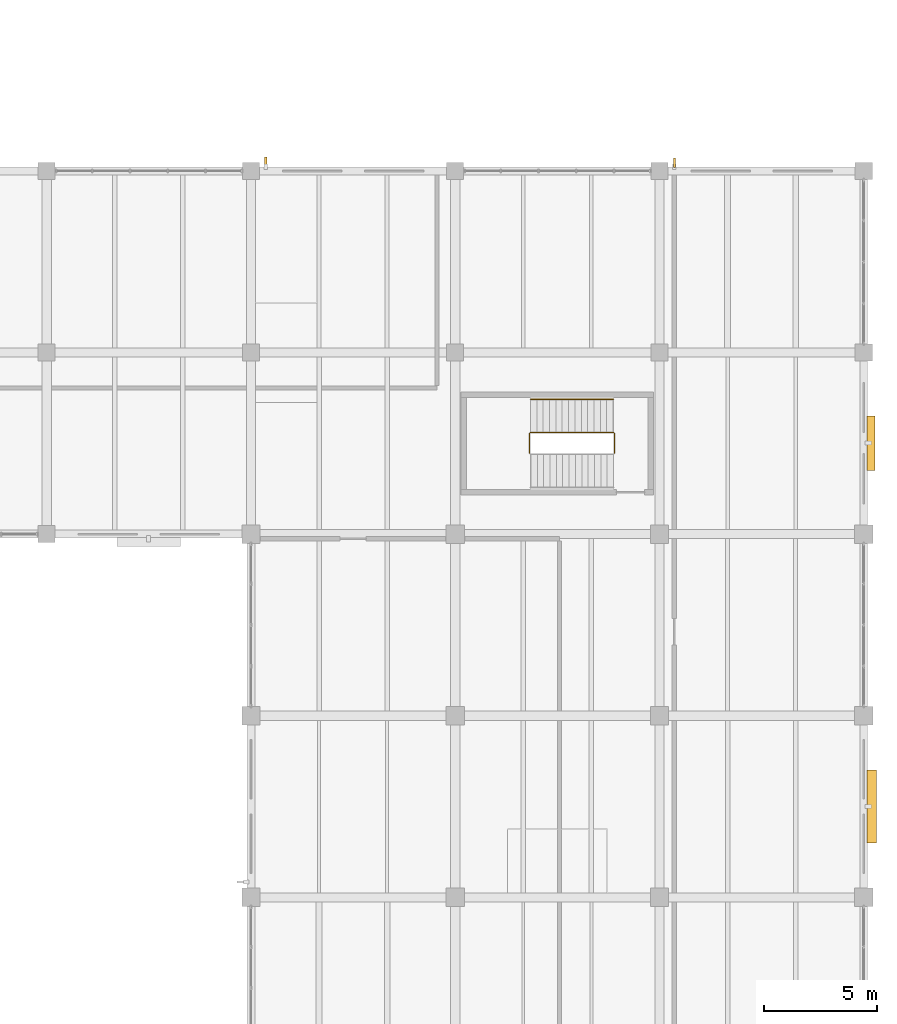
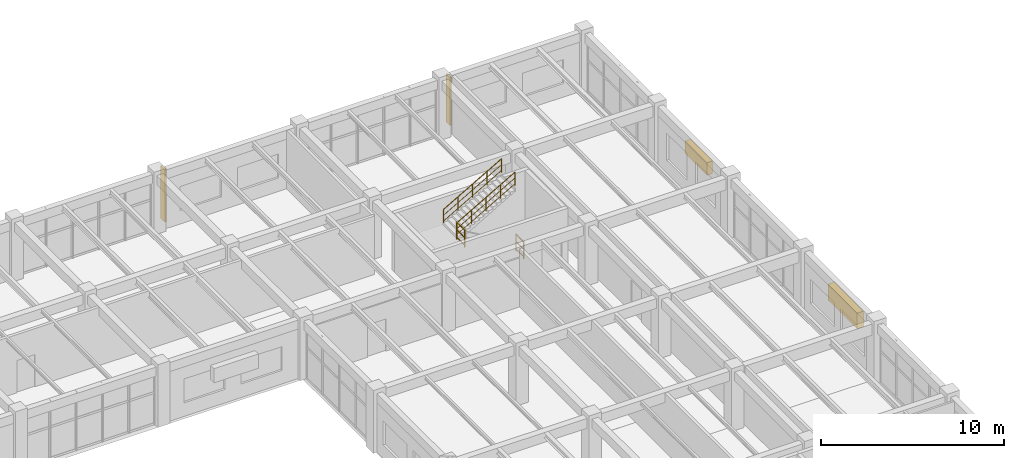
# One storey, part 147 of 148: 4 railings, 4 shading devices.
"""IFC4 building model written with IfcOpenShell, lengths in metres."""

import ifcopenshell
import ifcopenshell.guid

model = None  # the IFC model being written
_history = None  # IfcOwnerHistory: only IFC2X3 demands one
_inside = {}  # id of a spatial element -> (the spatial element, [elements in it])
_under = {}  # id of a project, library or spatial element -> (it, [spatial elements below it])
_declared = {}  # id of a project -> (the project, [libraries it declares])
_typed = {}  # id of a type object -> (the type object, [elements of that type])
_made_of = {}  # id of a material, layer set ... -> (it, [elements and type objects made of it])


def new_model(schema):
    """Start an empty IFC model of exactly this schema.

    Asked for "IFC4X3", IfcOpenShell would pick the latest addendum, in which some entities
    have other attributes; the version numbers below select the first issue.
    IFC2X3 requires an IfcOwnerHistory on every rooted entity: one is made here for all.
    """
    global model, _history
    if schema == "IFC4X3":
        model = ifcopenshell.file(schema_version=(4, 3, 0, 0))
    else:
        model = ifcopenshell.file(schema=schema)
    _inside.clear()
    _under.clear()
    _declared.clear()
    _typed.clear()
    _made_of.clear()
    _history = None
    if model.schema == "IFC2X3":
        org = make("IfcOrganization", Name="unknown")
        user = make(
            "IfcPersonAndOrganization",
            ThePerson=make("IfcPerson", FamilyName="unknown"),
            TheOrganization=org,
        )
        app = make(
            "IfcApplication",
            ApplicationDeveloper=org,
            Version="unknown",
            ApplicationFullName="unknown",
            ApplicationIdentifier="unknown",
        )
        _history = make(
            "IfcOwnerHistory",
            OwningUser=user,
            OwningApplication=app,
            ChangeAction="ADDED",
            CreationDate=0,
        )
    return model


def make(cls, **values):
    """One entity of the class cls with the attributes given. An attribute that is None is left unset."""
    return model.create_entity(
        cls, **{name: value for name, value in values.items() if value is not None}
    )


def rooted(cls, **values):
    """An entity with a GlobalId (a new one), such as an element, a storey or a relation."""
    return make(cls, GlobalId=ifcopenshell.guid.new(), OwnerHistory=_history, **values)


def si_unit(unit_type, name, prefix=None):
    """IfcSIUnit, for example si_unit("LENGTHUNIT", "METRE", prefix="MILLI")."""
    return make("IfcSIUnit", UnitType=unit_type, Prefix=prefix, Name=name)


def derived_unit(unit_type, elements):
    """IfcDerivedUnit: a product of units, each with its exponent."""
    return make(
        "IfcDerivedUnit",
        Elements=[
            make("IfcDerivedUnitElement", Unit=unit, Exponent=power)
            for unit, power in elements
        ],
        UnitType=unit_type,
    )


def assignment(units):
    """IfcUnitAssignment: the units of a project."""
    return None if units is None else make("IfcUnitAssignment", Units=units)


def point(xyz):
    """IfcCartesianPoint."""
    return None if xyz is None else make("IfcCartesianPoint", Coordinates=xyz)


def direction(xyz):
    """IfcDirection."""
    return None if xyz is None else make("IfcDirection", DirectionRatios=xyz)


def frame(location, z_axis=None, x_axis=None):
    """IfcAxis2Placement3D, a coordinate frame: its origin and axes. An axis left out is left unset."""
    return make(
        "IfcAxis2Placement3D",
        Location=point(location),
        Axis=direction(z_axis),
        RefDirection=direction(x_axis),
    )


def frame_2d(location, x_axis=None):
    """IfcAxis2Placement2D, a coordinate frame in the plane: its origin and x axis."""
    return make(
        "IfcAxis2Placement2D", Location=point(location), RefDirection=direction(x_axis)
    )


def origin():
    """The frame at (0, 0, 0) with its axes left unset."""
    return frame((0.0, 0.0, 0.0))


def origin_2d():
    """The frame at (0, 0) in the plane with its x axis left unset."""
    return frame_2d((0.0, 0.0))


def place(relative_to, where):
    """IfcLocalPlacement: puts the frame where relative to a parent placement (None: the world)."""
    return make(
        "IfcLocalPlacement", PlacementRelTo=relative_to, RelativePlacement=where
    )


def context(
    kind, dimensions, precision=None, world=None, true_north=None, identifier=None
):
    """IfcGeometricRepresentationContext, for example the 3D "Model" context."""
    return make(
        "IfcGeometricRepresentationContext",
        ContextIdentifier=identifier,
        ContextType=kind,
        CoordinateSpaceDimension=dimensions,
        Precision=precision,
        WorldCoordinateSystem=world,
        TrueNorth=true_north,
    )


def subcontext(parent, identifier, kind, view, scale=None):
    """IfcGeometricRepresentationSubContext, for example "Body" below "Model"."""
    return make(
        "IfcGeometricRepresentationSubContext",
        ContextIdentifier=identifier,
        ContextType=kind,
        ParentContext=parent,
        TargetScale=scale,
        TargetView=view,
    )


def project(units=None, contexts=None):
    """IfcProject with its units and contexts."""
    return rooted(
        "IfcProject",
        Name="project",
        RepresentationContexts=contexts,
        UnitsInContext=assignment(units),
    )


def spatial(cls, under=None, at=None, **own):
    """A site, building, storey or space (cls), placed at a placement, below another one or the project."""
    s = rooted(cls, ObjectPlacement=at, **own)
    if under is not None:
        _under.setdefault(under.id(), (under, []))[1].append(s)
    return s


def profile(cls, at=None, kind="AREA", **sizes):
    """A parametric profile (cls). Its sizes go by their IFC names, for example OverallWidth=200.0."""
    return make(cls, ProfileType=kind, Position=at, **sizes)


def rectangle(**sizes):
    """IfcRectangleProfileDef."""
    return profile("IfcRectangleProfileDef", **sizes)


def circle(**sizes):
    """IfcCircleProfileDef."""
    return profile("IfcCircleProfileDef", **sizes)


def extrude(swept, where, along, depth):
    """IfcExtrudedAreaSolid: the profile swept, set in the frame where, extruded along a direction by depth."""
    return make(
        "IfcExtrudedAreaSolid",
        SweptArea=swept,
        Position=where,
        ExtrudedDirection=direction(along),
        Depth=depth,
    )


def shape(context_of_items, identifier, shape_type, items):
    """IfcShapeRepresentation: the items that make up one representation, for example the "Body"."""
    return make(
        "IfcShapeRepresentation",
        ContextOfItems=context_of_items,
        RepresentationIdentifier=identifier,
        RepresentationType=shape_type,
        Items=items,
    )


def material(Name=None, Category=None):
    """IfcMaterial."""
    return make("IfcMaterial", Name=Name, Category=Category)


def made_of(thing, what):
    """Note that an element or type object is made of a material, layer set ...; save() writes the relation."""
    if what is not None:
        _made_of.setdefault(what.id(), (what, []))[1].append(thing)
    return thing


def type_object(cls, material=None, **own):
    """A type object (cls), such as IfcWallType, which elements share."""
    return made_of(rooted(cls, **own), material)


def element(
    cls,
    number,
    at=None,
    inside=None,
    cuts=None,
    type_object=None,
    material=None,
    context=None,
    identifier="Body",
    shape_type=None,
    held_by="IfcProductDefinitionShape",
    body=None,
    shapes=None,
    **own,
):
    """One element of the class cls, such as IfcWall. Its Tag is "e" and its number.

    at: its placement. inside: the storey or other place that contains it. cuts: it is an
    opening in that element (IfcRelVoidsElement). A single representation is given by context,
    identifier, shape_type and body (its items); several are given by shapes. held_by: the class
    of the entity that holds the representations. save() writes the other relations.
    """
    e = rooted(cls, Tag="e%d" % number, ObjectPlacement=at, **own)
    if body is not None:
        shapes = [shape(context, identifier, shape_type, body)]
    if shapes is not None:
        e.Representation = make(held_by, Representations=shapes)
    if inside is not None:
        _inside.setdefault(inside.id(), (inside, []))[1].append(e)
    if cuts is not None:
        rooted(
            "IfcRelVoidsElement", RelatingBuildingElement=cuts, RelatedOpeningElement=e
        )
    if type_object is not None:
        _typed.setdefault(type_object.id(), (type_object, []))[1].append(e)
    return made_of(e, material)


def aggregate(whole, parts):
    """IfcRelAggregates: a whole, such as a stair, and the parts it consists of."""
    return rooted("IfcRelAggregates", RelatingObject=whole, RelatedObjects=parts)


def save(model, path):
    """Write the relations noted so far, then the file.

    IfcRelAggregates (storeys below a building ...), IfcRelContainedInSpatialStructure (elements
    in a storey), IfcRelDefinesByType, IfcRelAssociatesMaterial and IfcRelDeclares: one each for
    every whole, place, type object, material and project.
    """
    for whole, parts in _under.values():
        aggregate(whole, parts)
    for where, things in _inside.values():
        rooted(
            "IfcRelContainedInSpatialStructure",
            RelatedElements=things,
            RelatingStructure=where,
        )
    for kind, things in _typed.values():
        rooted("IfcRelDefinesByType", RelatedObjects=things, RelatingType=kind)
    for what, things in _made_of.values():
        rooted("IfcRelAssociatesMaterial", RelatedObjects=things, RelatingMaterial=what)
    for by, libraries in _declared.values():
        rooted("IfcRelDeclares", RelatingContext=by, RelatedDefinitions=libraries)
    model.write(path)


model = new_model("IFC4")

# Units and contexts
model_context = context("Model", 3, precision=1e-05, world=origin(), true_north=direction((0.0, 1.0)))
body_context = subcontext(model_context, "Body", "Model", "MODEL_VIEW")
ifc_project = project(units=[si_unit("LENGTHUNIT", "METRE"), si_unit("AREAUNIT", "SQUARE_METRE"), si_unit("VOLUMEUNIT", "CUBIC_METRE"), si_unit("PLANEANGLEUNIT", "RADIAN"), si_unit("MASSUNIT", "GRAM", prefix="KILO"), derived_unit("THERMALTRANSMITTANCEUNIT", [(si_unit("MASSUNIT", "GRAM", prefix="KILO"), 1), (si_unit("TIMEUNIT", "SECOND"), -3), (si_unit("THERMODYNAMICTEMPERATUREUNIT", "KELVIN"), -1)])], contexts=[model_context])

# Site, building, storey
site_placement = place(None, origin())
site = spatial("IfcSite", under=ifc_project, at=site_placement, CompositionType="ELEMENT")
building_placement = place(site_placement, origin())
building = spatial("IfcBuilding", under=site, at=building_placement, Name="Zhenchuan Archway Interchange", CompositionType="ELEMENT")
storey_placement = place(building_placement, frame((0.0, 0.0, 10.199951171875)))
storey = spatial("IfcBuildingStorey", under=building, at=storey_placement, Name="L02", CompositionType="ELEMENT", Elevation=10.199951171875)

# Railings
ifc_material_1 = material(Name="Painted Galvanised Steel", Category="steel")
railing_type_1 = type_object("IfcRailingType", Name="RL_GUARD_1150", PredefinedType="GUARDRAIL", material=ifc_material_1)
for number, where, name in (
    (1, (156.27490234375, 91.56494140625, 2.10009765625), "Stair ST-O3 half-landing slot guard (L02)"),
    (2, (160.014892578125, 91.56494140625, 0.0), "Stair ST-O3 floor well guard (L02)"),
):
    element("IfcRailing", number, at=place(storey_placement, frame(where)), inside=storey, type_object=railing_type_1, Name=name, PredefinedType="GUARDRAIL", context=body_context, shape_type="SweptSolid", body=[
        extrude(circle(Radius=0.02392578125, at=origin_2d()), frame((0.0, 0.0, 1.1259765625), z_axis=(0.0, 1.0, 0.0), x_axis=(-1.0, 0.0, 0.0)), (0.0, 0.0, 1.0), 0.8701171875),
        extrude(circle(Radius=0.01611328125, at=origin_2d()), frame((0.0, 0.0, 0.63232421875), z_axis=(0.0, 1.0, 0.0), x_axis=(-1.0, 0.0, 0.0)), (0.0, 0.0, 1.0), 0.8701171875),
        extrude(circle(Radius=0.01611328125, at=origin_2d()), frame((0.0, 0.0, 0.1201171875), z_axis=(0.0, 1.0, 0.0), x_axis=(-1.0, 0.0, 0.0)), (0.0, 0.0, 1.0), 0.8701171875),
        extrude(circle(Radius=0.02099609375, at=origin_2d()), origin(), (0.0, 0.0, 1.0), 1.1259765625),
        extrude(circle(Radius=0.02099609375, at=origin_2d()), frame((0.0, 0.8701171875, 0.0)), (0.0, 0.0, 1.0), 1.1259765625),
    ])
ifc_material_2 = material(Name="Stainless Steel 304", Category="steel")
railing_type_2 = type_object("IfcRailingType", Name="RL_HAND_920", PredefinedType="HANDRAIL", material=ifc_material_2)
for number, where, name in (
    (3, (156.31494140625, 92.47509765625, 2.25), "Stair ST-O3 handrail 3 (L02)"),
    (4, (156.31494140625, 93.945068359375, 2.25), "Stair ST-O3 handrail 4 (L02)"),
):
    element("IfcRailing", number, at=place(storey_placement, frame(where)), inside=storey, type_object=railing_type_2, Name=name, PredefinedType="HANDRAIL", context=body_context, shape_type="SweptSolid", body=[
        extrude(circle(Radius=0.02392578125, at=origin_2d()), frame((0.0, 0.0, 0.89599609375), z_axis=(0.867365949741, 0.0, 0.49767088445), x_axis=(0.0, 1.0, 0.0)), (0.0, 0.0, 1.0), 4.219970703125),
        extrude(circle(Radius=0.01611328125, at=origin_2d()), frame((0.0, 0.0, 0.505859375), z_axis=(0.867365949741, 0.0, 0.49767088445), x_axis=(0.0, 1.0, 0.0)), (0.0, 0.0, 1.0), 4.219970703125),
        extrude(circle(Radius=0.01611328125, at=origin_2d()), frame((0.0, 0.0, 0.1201171875), z_axis=(0.867365949741, 0.0, 0.49767088445), x_axis=(0.0, 1.0, 0.0)), (0.0, 0.0, 1.0), 4.219970703125),
        extrude(circle(Radius=0.02099609375, at=origin_2d()), origin(), (0.0, 0.0, 1.0), 0.89599609375),
        extrude(circle(Radius=0.02099609375, at=origin_2d()), frame((0.9150390625, 0.0, 0.52490234375)), (0.0, 0.0, 1.0), 0.89599609375),
        extrude(circle(Radius=0.02099609375, at=origin_2d()), frame((1.830078125, 0.0, 1.050048828125)), (0.0, 0.0, 1.0), 0.89599609375),
        extrude(circle(Radius=0.02099609375, at=origin_2d()), frame((2.7451171875, 0.0, 1.5751953125)), (0.0, 0.0, 1.0), 0.89599609375),
        extrude(circle(Radius=0.02099609375, at=origin_2d()), frame((3.66015625, 0.0, 2.10009765625)), (0.0, 0.0, 1.0), 0.89599609375),
    ])

# Shading devices
ifc_material_3 = material(Name="Terracotta Ceramic", Category="masonry")
shading_device_type_1 = type_object("IfcShadingDeviceType", Name="SHD_FIN_1", PredefinedType="USERDEFINED", material=ifc_material_3)
shading_device_1_placement = place(storey_placement, frame((162.653076171875, 104.364013671875, 0.35009765625), z_axis=(0.0, 0.0, 1.0), x_axis=(1.0, 0.0, 0.0)))
element("IfcShadingDevice", 5, at=shading_device_1_placement, inside=storey, type_object=shading_device_type_1, Name="Terracotta vertical solar fin L02-087", ObjectType="FINS", PredefinedType="USERDEFINED", context=body_context, shape_type="SweptSolid", body=[
    extrude(rectangle(XDim=0.090087890625, YDim=0.419921875, at=origin_2d()), origin(), (0.0, 0.0, 1.0), 3.199951171875),
])
shading_device_type_2 = type_object("IfcShadingDeviceType", Name="SHD_FIN_3", PredefinedType="USERDEFINED", material=ifc_material_3)
shading_device_2_placement = place(storey_placement, frame((144.653076171875, 104.384033203125, 0.199951171875), z_axis=(0.0, 0.0, 1.0), x_axis=(1.0, 0.0, 0.0)))
element("IfcShadingDevice", 6, at=shading_device_2_placement, inside=storey, type_object=shading_device_type_2, Name="Terracotta vertical solar fin L02-086", ObjectType="FINS", PredefinedType="USERDEFINED", context=body_context, shape_type="SweptSolid", body=[
    extrude(rectangle(XDim=0.10009765625, YDim=0.4599609375, at=origin_2d()), origin(), (0.0, 0.0, 1.0), 3.5),
])
ifc_material_4 = material(Name="Anodised Aluminium", Category="aluminium")
shading_device_type_3 = type_object("IfcShadingDeviceType", Name="SHD_LOUVRE_2", PredefinedType="JALOUSIE", material=ifc_material_4)
shading_device_3_placement = place(storey_placement, frame((171.323974609375, 92.012451171875, 2.125), z_axis=(0.0, 0.0, 1.0), x_axis=(0.0, -1.0, 0.0)))
element("IfcShadingDevice", 7, at=shading_device_3_placement, inside=storey, type_object=shading_device_type_3, Name="Monsoon storm-louvre jalousie L02-088", PredefinedType="JALOUSIE", context=body_context, shape_type="SweptSolid", body=[
    extrude(rectangle(XDim=2.39990234375, YDim=0.340087890625, at=origin_2d()), origin(), (0.0, 0.0, 1.0), 0.85009765625),
])
shading_device_type_4 = type_object("IfcShadingDeviceType", Name="SHD_LOUVRE_3", PredefinedType="JALOUSIE", material=ifc_material_4)
shading_device_4_placement = place(storey_placement, frame((171.35400390625, 76.0, 1.8251953125), z_axis=(0.0, 0.0, 1.0), x_axis=(0.0, -1.0, 0.0)))
element("IfcShadingDevice", 8, at=shading_device_4_placement, inside=storey, type_object=shading_device_type_4, Name="Monsoon storm-louvre jalousie L02-089", PredefinedType="JALOUSIE", context=body_context, shape_type="SweptSolid", body=[
    extrude(rectangle(XDim=3.199951171875, YDim=0.39990234375, at=origin_2d()), origin(), (0.0, 0.0, 1.0), 1.050048828125),
])

save(model, "model.ifc")
